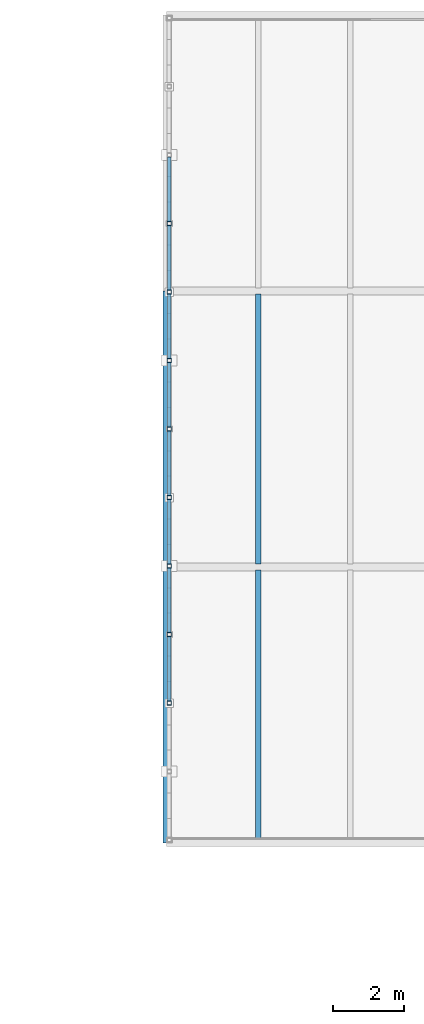
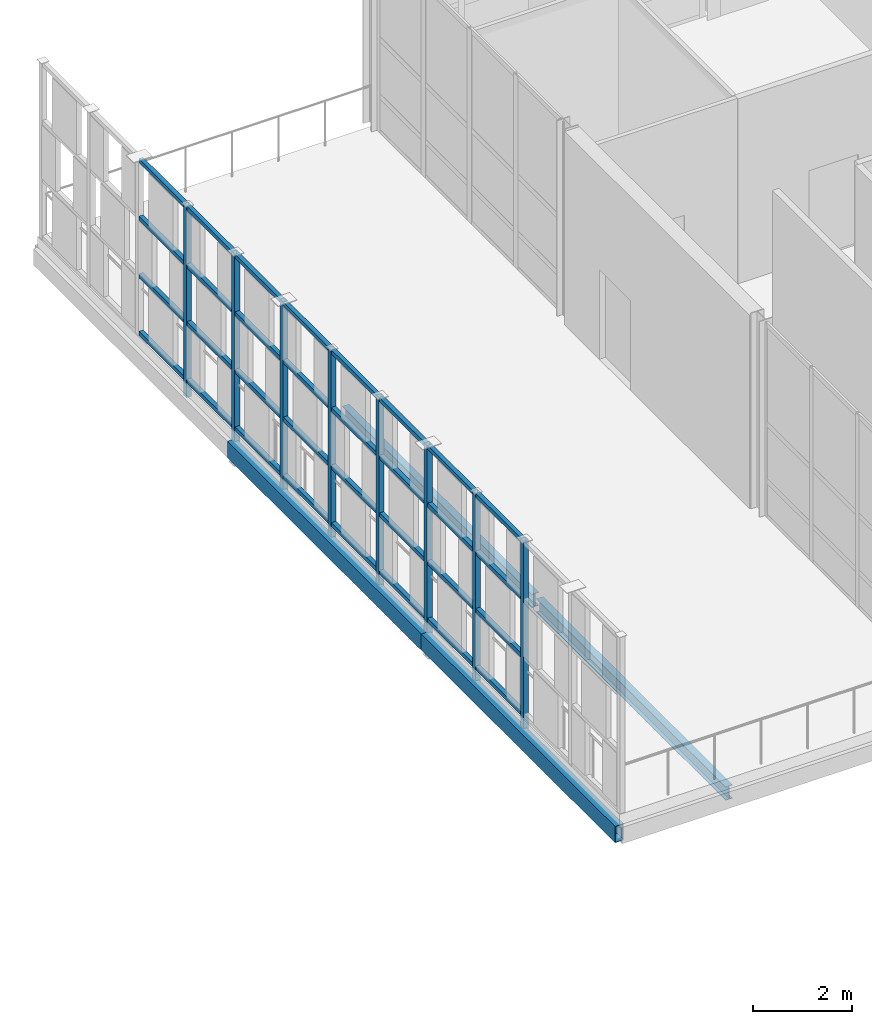
# One storey, part 52 of 138: 40 members, 4 beams.
"""IFC4 building model written with IfcOpenShell, lengths in metres."""

from ifc_helpers import new_model, si_unit, direction, frame, origin, origin_2d, place, context, subcontext, project, spatial, hollow_rectangle, i_section, extrude, material, material_profile, profile_set, type_object, element, save


model = new_model("IFC4")

# Units and contexts
model_context = context("Model", 3, precision=1e-05, world=origin(), true_north=direction((0.0, 1.0)))
body_context = subcontext(model_context, "Body", "Model", "MODEL_VIEW")
ifc_project = project(units=[si_unit("LENGTHUNIT", "METRE"), si_unit("AREAUNIT", "SQUARE_METRE"), si_unit("VOLUMEUNIT", "CUBIC_METRE"), si_unit("PLANEANGLEUNIT", "RADIAN"), si_unit("MASSUNIT", "GRAM", prefix="KILO")], contexts=[model_context])

# Site, building, storey
site_placement = place(None, origin())
site = spatial("IfcSite", under=ifc_project, at=site_placement, CompositionType="ELEMENT")
building_placement = place(site_placement, origin())
building = spatial("IfcBuilding", under=site, at=building_placement, Name="Celorna Specialist Clinic", CompositionType="ELEMENT")
storey_placement = place(building_placement, frame((0.0, 0.0, 4.800048828125)))
storey = spatial("IfcBuildingStorey", under=building, at=storey_placement, Name="L01", CompositionType="ELEMENT", Elevation=4.800048828125)

# Beams
ifc_material = material(Name="Steel S355", Category="steel")
ifc_material_profile_1 = material_profile(ifc_material, i_section(OverallWidth=0.159912109375, OverallDepth=0.330078125, WebThickness=0.007568359375, FlangeThickness=0.011474609375, at=origin_2d()), Name="IPE 330")
ifc_profile_set_1 = profile_set([ifc_material_profile_1], Name="Steel S355")
beam_type_1 = type_object("IfcBeamType", Name="BM-12", PredefinedType="JOIST", material=ifc_profile_set_1)
for number, where, z_axis, x_axis, name in (
    (1, (127.39990234375, 60.087890625, -0.425048828125), (0.0, 1.0, 0.0), (-1.0, 0.0, 0.0), "Secondary floor joist BM-12 #2241"),
    (2, (127.39990234375, 67.887939453125, -0.425048828125), (0.0, 1.0, 0.0), (-1.0, 0.0, 0.0), "Secondary floor joist BM-12 #2243"),
):
    element("IfcBeam", number, at=place(storey_placement, frame(where, z_axis=z_axis, x_axis=x_axis)), inside=storey, type_object=beam_type_1, Name=name, PredefinedType="JOIST", context=body_context, shape_type="SweptSolid", body=[
        extrude(i_section(OverallWidth=0.159912109375, OverallDepth=0.330078125, WebThickness=0.007568359375, FlangeThickness=0.011474609375, at=origin_2d()), origin(), (0.0, 0.0, 1.0), 7.6240234375),
    ])
ifc_material_profile_2 = material_profile(ifc_material, hollow_rectangle(XDim=0.199951171875, YDim=0.39990234375, WallThickness=0.011962890625, at=origin_2d()), Name="RHS 200x400x12")
ifc_profile_set_2 = profile_set([ifc_material_profile_2], Name="Steel S355")
beam_type_2 = type_object("IfcBeamType", Name="BM-15", PredefinedType="SPANDREL", material=ifc_profile_set_2)
for number, where, z_axis, x_axis, name in (
    (3, (124.800048828125, 60.0, -0.4599609375), (0.0, 1.0, 0.0), (-1.0, 0.0, 0.0), "Spandrel beam BM-15 #2238"),
    (4, (124.800048828125, 67.800048828125, -0.4599609375), (0.0, 1.0, 0.0), (-1.0, 0.0, 0.0), "Spandrel beam BM-15 #2239"),
):
    element("IfcBeam", number, at=place(storey_placement, frame(where, z_axis=z_axis, x_axis=x_axis)), inside=storey, type_object=beam_type_2, Name=name, PredefinedType="SPANDREL", context=body_context, shape_type="SweptSolid", body=[
        extrude(hollow_rectangle(XDim=0.199951171875, YDim=0.39990234375, WallThickness=0.011962890625, at=origin_2d()), origin(), (0.0, 0.0, 1.0), 7.800048828125),
    ])

# Members
ifc_material_profile_3 = material_profile(ifc_material, hollow_rectangle(XDim=0.1201171875, YDim=0.1201171875, WallThickness=0.008056640625, at=origin_2d()), Name="SHS 120x120x8")
ifc_profile_set_3 = profile_set([ifc_material_profile_3], Name="Steel S355")
member_type_1 = type_object("IfcMemberType", Name="MB-11", PredefinedType="STUD", material=ifc_profile_set_3)
for number, where, z_axis, x_axis, name in (
    (5, (124.8798828125, 63.953369140625, -0.360107421875), (0.0, 0.0, 1.0), (1.0, 0.0, 0.0), "Perforated screen steel post #1901"),
    (6, (124.8798828125, 65.889892578125, -0.360107421875), (0.0, 0.0, 1.0), (1.0, 0.0, 0.0), "Perforated screen steel post #1902"),
    (7, (124.8798828125, 67.82666015625, -0.360107421875), (0.0, 0.0, 1.0), (1.0, 0.0, 0.0), "Perforated screen steel post #1903"),
    (8, (124.8798828125, 69.76318359375, -0.360107421875), (0.0, 0.0, 1.0), (1.0, 0.0, 0.0), "Perforated screen steel post #1904"),
    (9, (124.8798828125, 71.699951171875, -0.360107421875), (0.0, 0.0, 1.0), (1.0, 0.0, 0.0), "Perforated screen steel post #1905"),
    (10, (124.8798828125, 73.63671875, -0.360107421875), (0.0, 0.0, 1.0), (1.0, 0.0, 0.0), "Perforated screen steel post #1906"),
    (11, (124.8798828125, 75.5732421875, -0.360107421875), (0.0, 0.0, 1.0), (1.0, 0.0, 0.0), "Perforated screen steel post #1907"),
    (12, (124.8798828125, 77.510009765625, -0.360107421875), (0.0, 0.0, 1.0), (1.0, 0.0, 0.0), "Perforated screen steel post #1908"),
):
    element("IfcMember", number, at=place(storey_placement, frame(where, z_axis=z_axis, x_axis=x_axis)), inside=storey, type_object=member_type_1, Name=name, PredefinedType="STUD", context=body_context, shape_type="SweptSolid", body=[
        extrude(hollow_rectangle(XDim=0.1201171875, YDim=0.1201171875, WallThickness=0.008056640625, at=origin_2d()), origin(), (0.0, 0.0, 1.0), 4.699951171875),
    ])
ifc_material_profile_4 = material_profile(ifc_material, hollow_rectangle(XDim=0.10009765625, YDim=0.10009765625, WallThickness=0.006103515625, at=origin_2d()), Name="SHS 100x100x6")
ifc_profile_set_4 = profile_set([ifc_material_profile_4], Name="Steel S355")
member_type_2 = type_object("IfcMemberType", Name="MB-12", PredefinedType="STUD", material=ifc_profile_set_4)
for number, where, z_axis, x_axis, name in (
    (13, (124.8798828125, 64.01318359375, 0.050048828125), (0.0, 1.0, 0.0), (-1.0, 0.0, 0.0), "Perforated screen rail #1920"),
    (14, (124.8798828125, 64.01318359375, 1.463134765625), (0.0, 1.0, 0.0), (-1.0, 0.0, 0.0), "Perforated screen rail #1921"),
    (15, (124.8798828125, 64.01318359375, 2.876708984375), (0.0, 1.0, 0.0), (-1.0, 0.0, 0.0), "Perforated screen rail #1922"),
    (16, (124.8798828125, 64.01318359375, 4.2900390625), (0.0, 1.0, 0.0), (-1.0, 0.0, 0.0), "Perforated screen rail #1923"),
):
    element("IfcMember", number, at=place(storey_placement, frame(where, z_axis=z_axis, x_axis=x_axis)), inside=storey, type_object=member_type_2, Name=name, PredefinedType="STUD", context=body_context, shape_type="SweptSolid", body=[
        extrude(hollow_rectangle(XDim=0.10009765625, YDim=0.10009765625, WallThickness=0.006103515625, at=origin_2d()), origin(), (0.0, 0.0, 1.0), 1.81689453125),
    ])
for number, where, z_axis, x_axis, name in (
    (17, (124.8798828125, 65.949951171875, 0.050048828125), (0.0, 1.0, 0.0), (-1.0, 0.0, 0.0), "Perforated screen rail #1924"),
    (18, (124.8798828125, 65.949951171875, 1.463134765625), (0.0, 1.0, 0.0), (-1.0, 0.0, 0.0), "Perforated screen rail #1925"),
    (19, (124.8798828125, 65.949951171875, 2.876708984375), (0.0, 1.0, 0.0), (-1.0, 0.0, 0.0), "Perforated screen rail #1926"),
    (20, (124.8798828125, 65.949951171875, 4.2900390625), (0.0, 1.0, 0.0), (-1.0, 0.0, 0.0), "Perforated screen rail #1927"),
    (21, (124.8798828125, 67.88671875, 0.050048828125), (0.0, 1.0, 0.0), (-1.0, 0.0, 0.0), "Perforated screen rail #1928"),
    (22, (124.8798828125, 67.88671875, 1.463134765625), (0.0, 1.0, 0.0), (-1.0, 0.0, 0.0), "Perforated screen rail #1929"),
    (23, (124.8798828125, 67.88671875, 2.876708984375), (0.0, 1.0, 0.0), (-1.0, 0.0, 0.0), "Perforated screen rail #1930"),
    (24, (124.8798828125, 67.88671875, 4.2900390625), (0.0, 1.0, 0.0), (-1.0, 0.0, 0.0), "Perforated screen rail #1931"),
    (25, (124.8798828125, 69.8232421875, 0.050048828125), (0.0, 1.0, 0.0), (-1.0, 0.0, 0.0), "Perforated screen rail #1932"),
    (26, (124.8798828125, 69.8232421875, 1.463134765625), (0.0, 1.0, 0.0), (-1.0, 0.0, 0.0), "Perforated screen rail #1933"),
    (27, (124.8798828125, 69.8232421875, 2.876708984375), (0.0, 1.0, 0.0), (-1.0, 0.0, 0.0), "Perforated screen rail #1934"),
    (28, (124.8798828125, 69.8232421875, 4.2900390625), (0.0, 1.0, 0.0), (-1.0, 0.0, 0.0), "Perforated screen rail #1935"),
    (29, (124.8798828125, 71.760009765625, 0.050048828125), (0.0, 1.0, 0.0), (-1.0, 0.0, 0.0), "Perforated screen rail #1936"),
    (30, (124.8798828125, 71.760009765625, 1.463134765625), (0.0, 1.0, 0.0), (-1.0, 0.0, 0.0), "Perforated screen rail #1937"),
    (31, (124.8798828125, 71.760009765625, 2.876708984375), (0.0, 1.0, 0.0), (-1.0, 0.0, 0.0), "Perforated screen rail #1938"),
    (32, (124.8798828125, 71.760009765625, 4.2900390625), (0.0, 1.0, 0.0), (-1.0, 0.0, 0.0), "Perforated screen rail #1939"),
):
    element("IfcMember", number, at=place(storey_placement, frame(where, z_axis=z_axis, x_axis=x_axis)), inside=storey, type_object=member_type_2, Name=name, PredefinedType="STUD", context=body_context, shape_type="SweptSolid", body=[
        extrude(hollow_rectangle(XDim=0.10009765625, YDim=0.10009765625, WallThickness=0.006103515625, at=origin_2d()), origin(), (0.0, 0.0, 1.0), 1.816650390625),
    ])
for number, where, z_axis, x_axis, name in (
    (33, (124.8798828125, 73.69677734375, 0.050048828125), (0.0, 1.0, 0.0), (-1.0, 0.0, 0.0), "Perforated screen rail #1940"),
    (34, (124.8798828125, 73.69677734375, 1.463134765625), (0.0, 1.0, 0.0), (-1.0, 0.0, 0.0), "Perforated screen rail #1941"),
    (35, (124.8798828125, 73.69677734375, 2.876708984375), (0.0, 1.0, 0.0), (-1.0, 0.0, 0.0), "Perforated screen rail #1942"),
    (36, (124.8798828125, 73.69677734375, 4.2900390625), (0.0, 1.0, 0.0), (-1.0, 0.0, 0.0), "Perforated screen rail #1943"),
):
    element("IfcMember", number, at=place(storey_placement, frame(where, z_axis=z_axis, x_axis=x_axis)), inside=storey, type_object=member_type_2, Name=name, PredefinedType="STUD", context=body_context, shape_type="SweptSolid", body=[
        extrude(hollow_rectangle(XDim=0.10009765625, YDim=0.10009765625, WallThickness=0.006103515625, at=origin_2d()), origin(), (0.0, 0.0, 1.0), 1.81640625),
    ])
for number, where, z_axis, x_axis, name in (
    (37, (124.8798828125, 75.63330078125, 0.050048828125), (0.0, 1.0, 0.0), (-1.0, 0.0, 0.0), "Perforated screen rail #1944"),
    (38, (124.8798828125, 75.63330078125, 1.463134765625), (0.0, 1.0, 0.0), (-1.0, 0.0, 0.0), "Perforated screen rail #1945"),
    (39, (124.8798828125, 75.63330078125, 2.876708984375), (0.0, 1.0, 0.0), (-1.0, 0.0, 0.0), "Perforated screen rail #1946"),
    (40, (124.8798828125, 75.63330078125, 4.2900390625), (0.0, 1.0, 0.0), (-1.0, 0.0, 0.0), "Perforated screen rail #1947"),
    (41, (124.8798828125, 77.570068359375, 0.050048828125), (0.0, 1.0, 0.0), (-1.0, 0.0, 0.0), "Perforated screen rail #1948"),
    (42, (124.8798828125, 77.570068359375, 1.463134765625), (0.0, 1.0, 0.0), (-1.0, 0.0, 0.0), "Perforated screen rail #1949"),
    (43, (124.8798828125, 77.570068359375, 2.876708984375), (0.0, 1.0, 0.0), (-1.0, 0.0, 0.0), "Perforated screen rail #1950"),
    (44, (124.8798828125, 77.570068359375, 4.2900390625), (0.0, 1.0, 0.0), (-1.0, 0.0, 0.0), "Perforated screen rail #1951"),
):
    element("IfcMember", number, at=place(storey_placement, frame(where, z_axis=z_axis, x_axis=x_axis)), inside=storey, type_object=member_type_2, Name=name, PredefinedType="STUD", context=body_context, shape_type="SweptSolid", body=[
        extrude(hollow_rectangle(XDim=0.10009765625, YDim=0.10009765625, WallThickness=0.006103515625, at=origin_2d()), origin(), (0.0, 0.0, 1.0), 1.816650390625),
    ])

save(model, "model.ifc")
